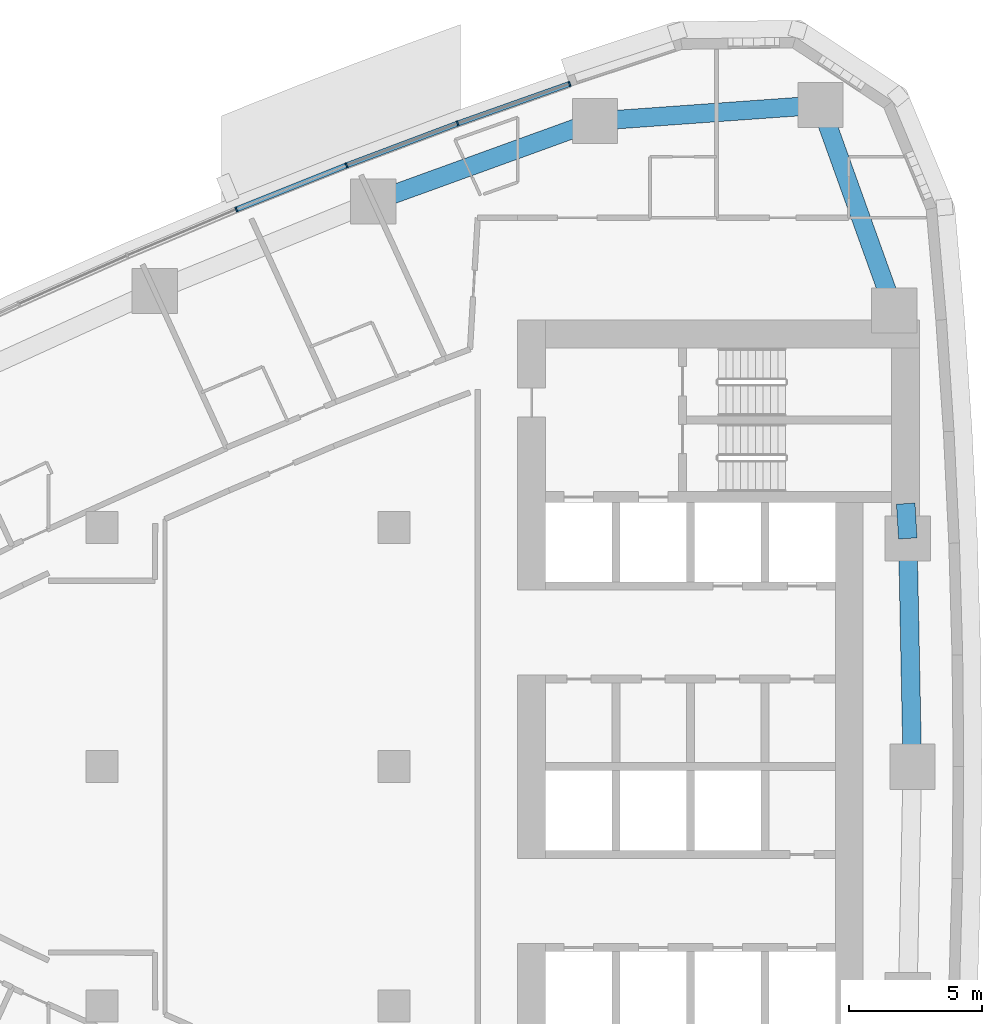
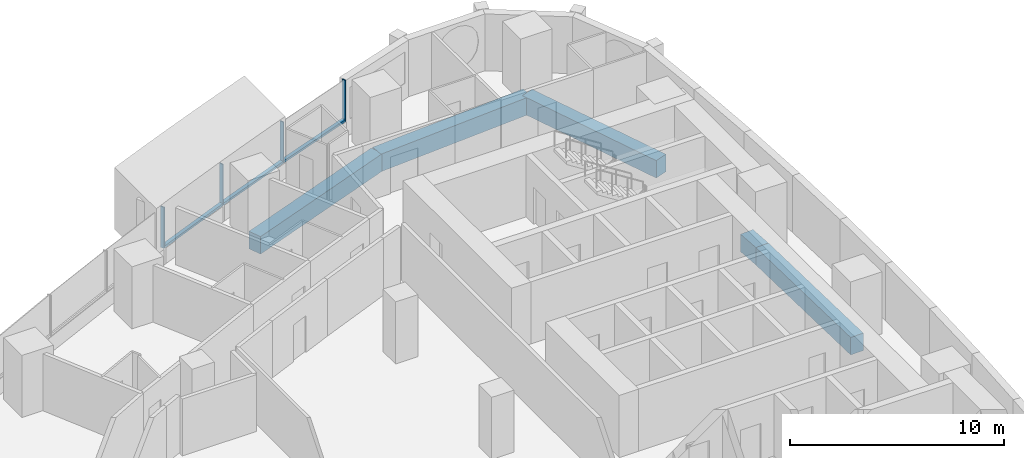
# One storey, part 6 of 17: 7 members, 5 beams, 2 elements without a shape of their own.
"""IFC4 building model written with IfcOpenShell, lengths in metres."""

from ifc_helpers import new_model, si_unit, direction, frame, origin, origin_2d, place, context, subcontext, project, spatial, rectangle, extrude, material, layer, layer_set, material_profile, profile_set, type_object, element, aggregate, save


model = new_model("IFC4")

# Units and contexts
model_context = context("Model", 3, precision=1e-05, world=origin(), true_north=direction((0.0, 1.0)))
body_context = subcontext(model_context, "Body", "Model", "MODEL_VIEW")
ifc_project = project(units=[si_unit("LENGTHUNIT", "METRE"), si_unit("AREAUNIT", "SQUARE_METRE"), si_unit("VOLUMEUNIT", "CUBIC_METRE"), si_unit("PLANEANGLEUNIT", "RADIAN"), si_unit("MASSUNIT", "GRAM", prefix="KILO")], contexts=[model_context])

# Site, building, storey
site_placement = place(None, origin())
site = spatial("IfcSite", under=ifc_project, at=site_placement, CompositionType="ELEMENT")
building_placement = place(site_placement, origin())
building = spatial("IfcBuilding", under=site, at=building_placement, Name="Ostrand Prow Hotel Tower", CompositionType="ELEMENT")
storey_placement = place(building_placement, frame((0.0, 0.0, 99.10009765625)))
storey = spatial("IfcBuildingStorey", under=building, at=storey_placement, Name="L23", CompositionType="ELEMENT", Elevation=99.10009765625)

# Beams
ifc_material_1 = material(Name="Concrete C80/95", Category="concrete")
ifc_material_profile_1 = material_profile(ifc_material_1, rectangle(XDim=0.699951171875, YDim=1.0, at=origin_2d()), Name="RC 700x1000")
ifc_profile_set_1 = profile_set([ifc_material_profile_1], Name="Concrete C80/95")
beam_type = type_object("IfcBeamType", Name="Edge beam 700x1000 C80/95", PredefinedType="SPANDREL", material=ifc_profile_set_1)
beam_1_placement = place(storey_placement, frame((64.5, 0.0, -0.800048828125), z_axis=(-0.019922705812, 0.9998015232, 0.0), x_axis=(-0.9998015232, -0.019922705812, 0.0)))
element("IfcBeam", 1, at=beam_1_placement, inside=storey, type_object=beam_type, Name="Edge beam B3-B4", PredefinedType="SPANDREL", context=body_context, shape_type="SweptSolid", body=[
    extrude(rectangle(XDim=0.699951171875, YDim=1.0, at=origin_2d()), origin(), (0.0, 0.0, 1.0), 8.59033203125),
])
beam_2_placement = place(storey_placement, frame((64.328857421875, 8.588623046875, -0.800048828125), z_axis=(-0.059658953766, 0.998218818314, 0.0), x_axis=(-0.998218818314, -0.059658953766, 0.0)))
element("IfcBeam", 2, at=beam_2_placement, inside=storey, type_object=beam_type, Name="Edge beam B4-B5", PredefinedType="SPANDREL", context=body_context, shape_type="SweptSolid", body=[
    extrude(rectangle(XDim=0.699951171875, YDim=1.0, at=origin_2d()), origin(), (0.0, 0.0, 1.0), 1.313720703125),
])
beam_3_placement = place(storey_placement, frame((63.815673828125, 17.16357421875, -0.800048828125), z_axis=(-0.337815484063, 0.941212355809, 0.0), x_axis=(-0.941212355809, -0.337815484063, 0.0)))
element("IfcBeam", 3, at=beam_3_placement, inside=storey, type_object=beam_type, Name="Edge beam B5-NE", PredefinedType="SPANDREL", context=body_context, shape_type="SweptSolid", body=[
    extrude(rectangle(XDim=0.699951171875, YDim=1.0, at=origin_2d()), origin(), (0.0, 0.0, 1.0), 8.21630859375),
])
beam_4_placement = place(storey_placement, frame((61.0400390625, 24.89697265625, -0.800048828125), z_axis=(-0.99747195063, -0.071061295414, 0.0), x_axis=(0.071061295414, -0.99747195063, 0.0)))
element("IfcBeam", 4, at=beam_4_placement, inside=storey, type_object=beam_type, Name="Edge beam NE-N1", PredefinedType="SPANDREL", context=body_context, shape_type="SweptSolid", body=[
    extrude(rectangle(XDim=0.699951171875, YDim=1.0, at=origin_2d()), origin(), (0.0, 0.0, 1.0), 8.499755859375),
])
beam_5_placement = place(storey_placement, frame((52.561767578125, 24.29296875, -0.800048828125), z_axis=(-0.940062739321, -0.341001533927, 0.0), x_axis=(0.341001533927, -0.940062739321, 0.0)))
element("IfcBeam", 5, at=beam_5_placement, inside=storey, type_object=beam_type, Name="Edge beam N1-N2", PredefinedType="SPANDREL", context=body_context, shape_type="SweptSolid", body=[
    extrude(rectangle(XDim=0.699951171875, YDim=1.0, at=origin_2d()), origin(), (0.0, 0.0, 1.0), 8.883544921875),
])

# Curtain wall, members
ifc_material_2 = material(Name="Insulated glass in bronze anodised frame", Category="glass")
ifc_layer = layer(ifc_material_2, 0.199951171875)
ifc_layer_set = layer_set([ifc_layer], Name="Insulated glass in bronze anodised frame")
curtain_wall_type = type_object("IfcCurtainWallType", Name="Strip curtain wall, fritted glass over bronze spandrel", PredefinedType="NOTDEFINED", material=ifc_layer_set)
curtain_wall_1_placement = place(storey_placement, origin())
curtain_wall_1 = element("IfcCurtainWall", 6, at=curtain_wall_1_placement, inside=storey, type_object=curtain_wall_type, Name="CW1 run CWN1", PredefinedType="NOTDEFINED")
ifc_material_3 = material(Name="Bronze anodised aluminium", Category="aluminium")
ifc_material_profile_2 = material_profile(ifc_material_3, rectangle(XDim=0.199951171875, YDim=0.06005859375, at=origin_2d()), Name="Mullion 60x200 bronze anodised aluminium")
ifc_profile_set_2 = profile_set([ifc_material_profile_2], Name="Bronze anodised aluminium")
member_type_1 = type_object("IfcMemberType", Name="Mullion 60x200 bronze anodised aluminium", PredefinedType="MULLION", material=ifc_profile_set_2)
member_1_placement = place(storey_placement, frame((51.601318359375, 25.692138671875, 0.89990234375), z_axis=(0.0, 0.0, 1.0), x_axis=(0.333495894542, -0.942751551748, 0.0)))
member_1 = element("IfcMember", 7, at=member_1_placement, type_object=member_type_1, Name="CW1 mullion 1", PredefinedType="MULLION", context=body_context, shape_type="SweptSolid", body=[
    extrude(rectangle(XDim=0.199951171875, YDim=0.06005859375, at=origin_2d()), origin(), (0.0, 0.0, 1.0), 2.35009765625),
])
member_2_placement = place(storey_placement, frame((47.390869140625, 24.202880859375, 0.89990234375), z_axis=(0.0, 0.0, 1.0), x_axis=(0.35230885193, -0.935883792387, 0.0)))
member_2 = element("IfcMember", 8, at=member_2_placement, type_object=member_type_1, Name="CW1 mullion 2", PredefinedType="MULLION", context=body_context, shape_type="SweptSolid", body=[
    extrude(rectangle(XDim=0.199951171875, YDim=0.06005859375, at=origin_2d()), origin(), (0.0, 0.0, 1.0), 2.35009765625),
])
member_3_placement = place(storey_placement, frame((43.211181640625, 22.62939453125, 0.89990234375), z_axis=(0.0, 0.0, 1.0), x_axis=(0.35230885193, -0.935883792387, 0.0)))
member_3 = element("IfcMember", 9, at=member_3_placement, type_object=member_type_1, Name="CW1 mullion 3", PredefinedType="MULLION", context=body_context, shape_type="SweptSolid", body=[
    extrude(rectangle(XDim=0.199951171875, YDim=0.06005859375, at=origin_2d()), origin(), (0.0, 0.0, 1.0), 2.35009765625),
])

# Curtain wall, member
curtain_wall_2_placement = place(storey_placement, origin())
curtain_wall_2 = element("IfcCurtainWall", 10, at=curtain_wall_2_placement, inside=storey, type_object=curtain_wall_type, Name="CW1 run CWN2", PredefinedType="NOTDEFINED")
member_4_placement = place(storey_placement, frame((39.06396484375, 20.97265625, 0.89990234375), z_axis=(0.0, 0.0, 1.0), x_axis=(0.389506566255, -0.921023688536, 0.0)))
member_4 = element("IfcMember", 11, at=member_4_placement, type_object=member_type_1, Name="CW1 mullion 2", PredefinedType="MULLION", context=body_context, shape_type="SweptSolid", body=[
    extrude(rectangle(XDim=0.199951171875, YDim=0.06005859375, at=origin_2d()), origin(), (0.0, 0.0, 1.0), 2.35009765625),
])

# Member
ifc_material_4 = material(Name="Bronze anodised aluminium", Category="aluminium")
ifc_material_profile_3 = material_profile(ifc_material_4, rectangle(XDim=0.199951171875, YDim=0.1201171875, at=origin_2d()), Name="Transom 120x200 bronze anodised aluminium")
ifc_profile_set_3 = profile_set([ifc_material_profile_3], Name="Bronze anodised aluminium")
member_type_2 = type_object("IfcMemberType", Name="Transom 120x200 bronze anodised aluminium", PredefinedType="USERDEFINED", material=ifc_profile_set_3)
member_5_placement = place(storey_placement, frame((51.572998046875, 25.68212890625, 0.9599609375), z_axis=(-0.942763014139, -0.333463490013, 0.0), x_axis=(0.333463490013, -0.942763014139, 0.0)))
member_5 = element("IfcMember", 12, at=member_5_placement, type_object=member_type_2, Name="CW1 transom 1.1", ObjectType="TRANSOM", PredefinedType="USERDEFINED", context=body_context, shape_type="SweptSolid", body=[
    extrude(rectangle(XDim=0.199951171875, YDim=0.1201171875, at=origin_2d()), origin(), (0.0, 0.0, 1.0), 4.406005859375),
])

member_6_placement = place(storey_placement, frame((47.36279296875, 24.1923828125, 0.9599609375), z_axis=(-0.935868398429, -0.352349742191, 0.0), x_axis=(0.352349742191, -0.935868398429, 0.0)))
member_6 = element("IfcMember", 13, at=member_6_placement, type_object=member_type_2, Name="CW1 transom 2.1", ObjectType="TRANSOM", PredefinedType="USERDEFINED", context=body_context, shape_type="SweptSolid", body=[
    extrude(rectangle(XDim=0.199951171875, YDim=0.1201171875, at=origin_2d()), origin(), (0.0, 0.0, 1.0), 4.406005859375),
])

aggregate(curtain_wall_1, [member_1, member_2, member_3, member_5, member_6])

member_7_placement = place(storey_placement, frame((43.183349609375, 22.618408203125, 0.9599609375), z_axis=(-0.928621833209, -0.371027614724, 0.0), x_axis=(0.371027614724, -0.928621833209, 0.0)))
member_7 = element("IfcMember", 14, at=member_7_placement, type_object=member_type_2, Name="CW1 transom 1.1", ObjectType="TRANSOM", PredefinedType="USERDEFINED", context=body_context, shape_type="SweptSolid", body=[
    extrude(rectangle(XDim=0.199951171875, YDim=0.1201171875, at=origin_2d()), origin(), (0.0, 0.0, 1.0), 4.406005859375),
])

aggregate(curtain_wall_2, [member_4, member_7])

save(model, "model.ifc")
